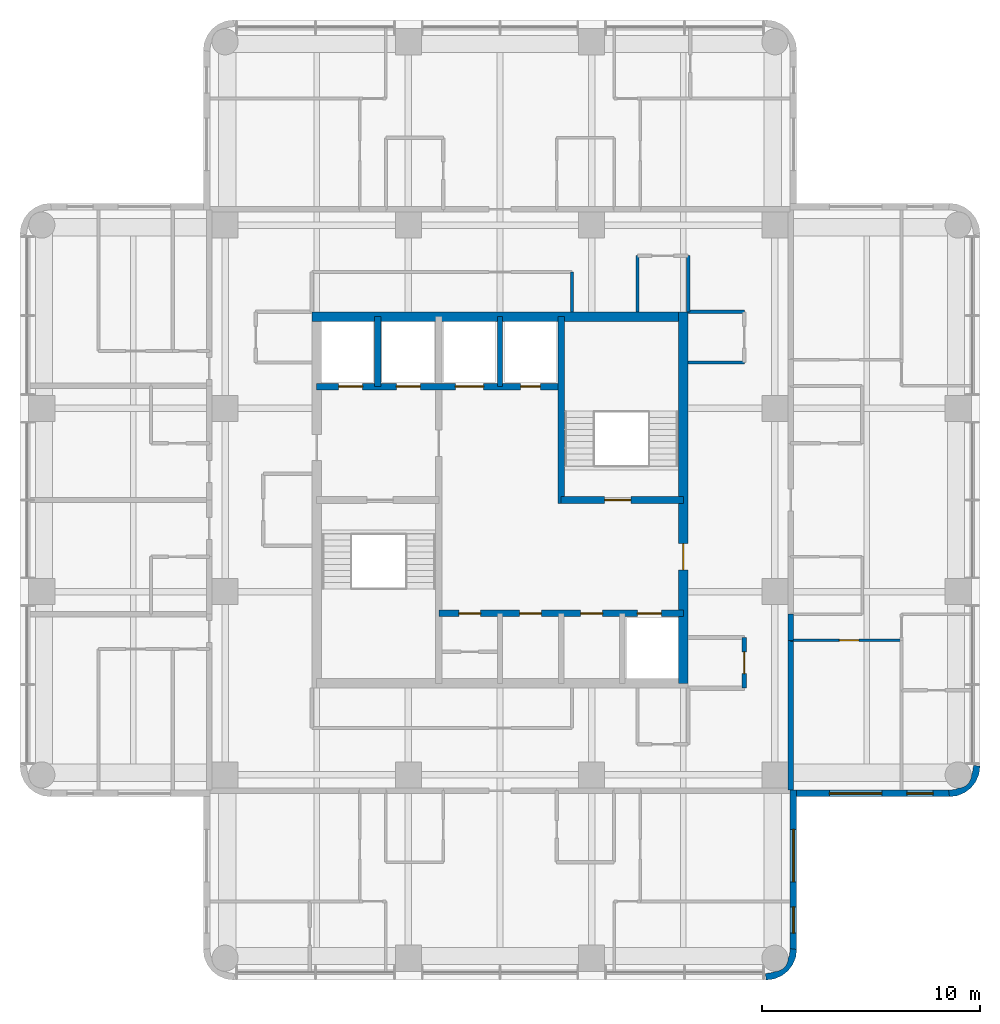
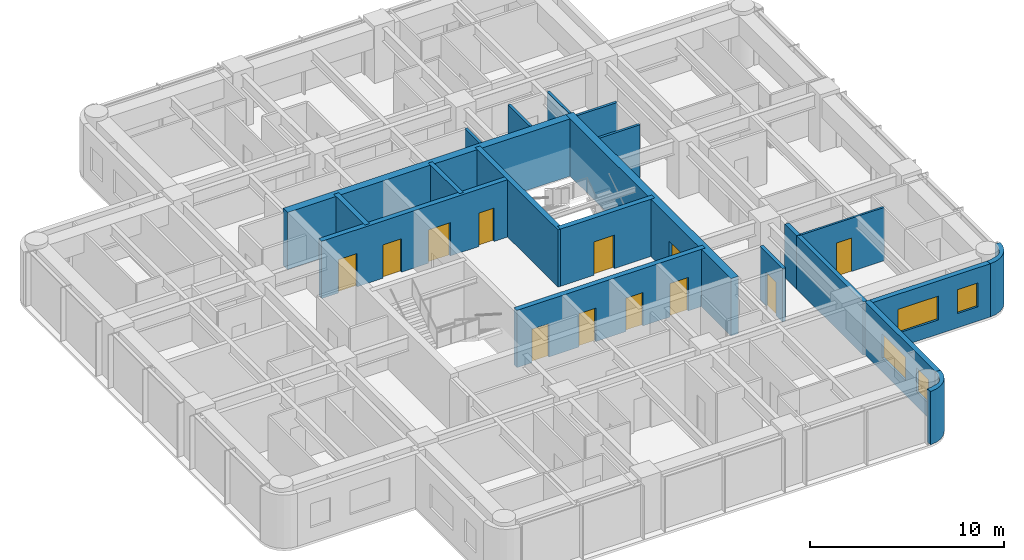
# One storey, part 6 of 10: 21 walls, 12 doors, 4 windows, 16 openings.
"""IFC4 building model written with IfcOpenShell, lengths in metres."""

from ifc_helpers import new_model, si_unit, direction, frame, frame_2d, origin, place, context, subcontext, project, spatial, polyline, rectangle, outline, extrude, material, layer, layer_set, type_object, element, fill, save


model = new_model("IFC4")

# Units and contexts
model_context = context("Model", 3, precision=1e-05, world=origin(), true_north=direction((0.0, 1.0)))
body_context = subcontext(model_context, "Body", "Model", "MODEL_VIEW")
ifc_project = project(units=[si_unit("LENGTHUNIT", "METRE"), si_unit("AREAUNIT", "SQUARE_METRE"), si_unit("VOLUMEUNIT", "CUBIC_METRE"), si_unit("PLANEANGLEUNIT", "RADIAN"), si_unit("MASSUNIT", "GRAM", prefix="KILO")], contexts=[model_context])

# Site, building, storey
site_placement = place(None, origin())
site = spatial("IfcSite", under=ifc_project, at=site_placement, CompositionType="ELEMENT")
building_placement = place(site_placement, origin())
building = spatial("IfcBuilding", under=site, at=building_placement, Name="Torre Alcanfor", CompositionType="ELEMENT")
storey_placement = place(building_placement, frame((0.0, 0.0, 297.300048828125)))
storey = spatial("IfcBuildingStorey", under=building, at=storey_placement, Name="L78", CompositionType="ELEMENT", Elevation=297.300048828125)

# Walls
ifc_material_1 = material(Name="Concrete block masonry, hollow blocks NMX-C-404 9 MPa", Category="masonry")
ifc_layer_1 = layer(ifc_material_1, 0.25)
ifc_layer_set_1 = layer_set([ifc_layer_1], Name="Apartment entrance wall 250 EI 60")
wall_type_1 = type_object("IfcWallType", Name="Apartment entrance wall 250 EI 60", PredefinedType="PARTITIONING", material=ifc_layer_set_1)
wall_1_placement = place(storey_placement, frame((42.72509765625, 24.1708984375, 0.0), z_axis=(0.0, 0.0, 1.0), x_axis=(0.0, -1.0, 0.0)))
element("IfcWall", 1, at=wall_1_placement, inside=storey, type_object=wall_type_1, Name="Partition L78-CORR / L78-EX-LIVING", PredefinedType="PARTITIONING", context=body_context, shape_type="SweptSolid", body=[
    extrude(rectangle(XDim=1.199951171875, YDim=0.25, at=frame_2d((0.60009765625, 0.0))), origin(), (0.0, 0.0, 1.0), 3.349853515625),
])
wall_2_placement = place(storey_placement, frame((42.72509765625, 22.970947265625, 0.0), z_axis=(0.0, 0.0, 1.0), x_axis=(0.0, -1.0, 0.0)))
element("IfcWall", 2, at=wall_2_placement, inside=storey, type_object=wall_type_1, Name="Partition L78-CORR / L78-EX-BED3", PredefinedType="PARTITIONING", context=body_context, shape_type="SweptSolid", body=[
    extrude(rectangle(XDim=6.870849609375, YDim=0.25, at=frame_2d((3.435546875, 0.0))), origin(), (0.0, 0.0, 1.0), 3.349853515625),
])

# Wall, opening, door
ifc_material_2 = material(Name="Gypsum board on steel studs", Category="steel")
ifc_layer_2 = layer(ifc_material_2, 0.1201171875)
ifc_layer_set_2 = layer_set([ifc_layer_2], Name="Apartment partition 120")
wall_type_2 = type_object("IfcWallType", Name="Apartment partition 120", PredefinedType="PARTITIONING", material=ifc_layer_set_2)
wall_3_placement = place(storey_placement, frame((47.800048828125, 22.970947265625, 0.0), z_axis=(0.0, 0.0, 1.0), x_axis=(-1.0, 0.0, 0.0)))
wall_3 = element("IfcWall", 3, at=wall_3_placement, inside=storey, type_object=wall_type_2, Name="Partition L78-EX-LIVING / L78-EX-BED3", PredefinedType="PARTITIONING", context=body_context, shape_type="SweptSolid", body=[
    extrude(rectangle(XDim=5.074951171875, YDim=0.1201171875, at=frame_2d((2.53759765625, 0.0))), origin(), (0.0, 0.0, 1.0), 3.349853515625),
])
opening_1_placement = place(wall_3_placement, frame((1.949951171875, 0.0, 0.0)))
opening_1 = element("IfcOpeningElement", 4, at=opening_1_placement, cuts=wall_3, Name="Opening D-R1", PredefinedType="OPENING", context=body_context, shape_type="SweptSolid", body=[
    extrude(rectangle(XDim=0.89990234375, YDim=2.10009765625, at=frame_2d((0.449951171875, 1.050048828125))), frame((0.0, 0.070068359375, 0.0), z_axis=(0.0, -1.0, 0.0), x_axis=(1.0, 0.0, 0.0)), (0.0, 0.0, 1.0), 0.14013671875),
])
ifc_material_3 = material(Name="Timber", Category="wood")
door_type_1 = type_object("IfcDoorType", Name="Internal door 900x2100", OperationType="SINGLE_SWING_LEFT", PredefinedType="DOOR", material=ifc_material_3)
door_1_placement = place(opening_1_placement, origin())
door_1 = element("IfcDoor", 5, at=door_1_placement, inside=storey, type_object=door_type_1, Name="Door L78-EX bed3", OperationType="SINGLE_SWING_LEFT", OverallHeight=2.10009765625, OverallWidth=0.89990234375, PredefinedType="DOOR", context=body_context, shape_type="SweptSolid", body=[
    extrude(rectangle(XDim=0.89990234375, YDim=2.10009765625, at=frame_2d((0.449951171875, 1.050048828125))), frame((0.0, 0.02490234375, 0.0), z_axis=(0.0, -1.0, 0.0), x_axis=(1.0, 0.0, 0.0)), (0.0, 0.0, 1.0), 0.050048828125),
])
fill(opening_1, door_1)

# Wall, openings, doors
ifc_material_4 = material(Name="Concrete f'c 70 MPa", Category="concrete")
ifc_layer_3 = layer(ifc_material_4, 0.300048828125)
ifc_layer_set_3 = layer_set([ifc_layer_3], Name="Core inner wall 300 f'c70")
wall_type_3 = type_object("IfcWallType", Name="Core inner wall 300 f'c70", PredefinedType="SHEAR", material=ifc_layer_set_3)
wall_4_placement = place(storey_placement, frame((21.0, 34.60009765625, 0.0), z_axis=(0.0, 0.0, 1.0), x_axis=(1.0, 0.0, 0.0)))
wall_4 = element("IfcWall", 6, at=wall_4_placement, inside=storey, type_object=wall_type_3, Name="Core wall Y346 L78", PredefinedType="SHEAR", context=body_context, shape_type="SweptSolid", body=[
    extrude(rectangle(XDim=11.199951171875, YDim=0.300048828125, at=frame_2d((5.60009765625, 0.0))), origin(), (0.0, 0.0, 1.0), 3.599853515625),
])
opening_2_placement = place(wall_4_placement, frame((9.35009765625, 0.0, 0.0)))
opening_2 = element("IfcOpeningElement", 7, at=opening_2_placement, cuts=wall_4, Name="Opening D-Q1", PredefinedType="OPENING", context=body_context, shape_type="SweptSolid", body=[
    extrude(rectangle(XDim=0.89990234375, YDim=2.10009765625, at=frame_2d((0.449951171875, 1.050048828125))), frame((0.0, 0.159912109375, 0.0), z_axis=(0.0, -1.0, 0.0), x_axis=(1.0, 0.0, 0.0)), (0.0, 0.0, 1.0), 0.320068359375),
])
opening_3_placement = place(wall_4_placement, frame((1.0, 0.0, 0.0)))
opening_3 = element("IfcOpeningElement", 8, at=opening_3_placement, cuts=wall_4, Name="Opening LD2", PredefinedType="OPENING", context=body_context, shape_type="SweptSolid", body=[
    extrude(rectangle(XDim=1.10009765625, YDim=2.10009765625, at=frame_2d((0.550048828125, 1.050048828125))), frame((0.0, 0.159912109375, 0.0), z_axis=(0.0, -1.0, 0.0), x_axis=(1.0, 0.0, 0.0)), (0.0, 0.0, 1.0), 0.320068359375),
])
opening_4_placement = place(wall_4_placement, frame((3.64990234375, 0.0, 0.0)))
opening_4 = element("IfcOpeningElement", 9, at=opening_4_placement, cuts=wall_4, Name="Opening LD2", PredefinedType="OPENING", context=body_context, shape_type="SweptSolid", body=[
    extrude(rectangle(XDim=1.10009765625, YDim=2.10009765625, at=frame_2d((0.550048828125, 1.050048828125))), frame((0.0, 0.159912109375, 0.0), z_axis=(0.0, -1.0, 0.0), x_axis=(1.0, 0.0, 0.0)), (0.0, 0.0, 1.0), 0.320068359375),
])
opening_5_placement = place(wall_4_placement, frame((6.35009765625, 0.0, 0.0)))
opening_5 = element("IfcOpeningElement", 10, at=opening_5_placement, cuts=wall_4, Name="Opening LD3", PredefinedType="OPENING", context=body_context, shape_type="SweptSolid", body=[
    extrude(rectangle(XDim=1.300048828125, YDim=2.10009765625, at=frame_2d((0.64990234375, 1.050048828125))), frame((0.0, 0.159912109375, 0.0), z_axis=(0.0, -1.0, 0.0), x_axis=(1.0, 0.0, 0.0)), (0.0, 0.0, 1.0), 0.320068359375),
])
ifc_material_5 = material(Name="Galvanised steel sheet ASTM A653", Category="steel")
door_type_2 = type_object("IfcDoorType", Name="Firefighting lift landing door 1100x2100", OperationType="DOUBLE_DOOR_SLIDING", PredefinedType="DOOR", material=ifc_material_5)
door_2_placement = place(opening_3_placement, origin())
door_2 = element("IfcDoor", 11, at=door_2_placement, inside=storey, type_object=door_type_2, Name="Lift landing door FL1 L78", OperationType="DOUBLE_DOOR_SLIDING", OverallHeight=2.10009765625, OverallWidth=1.10009765625, PredefinedType="DOOR", context=body_context, shape_type="SweptSolid", body=[
    extrude(rectangle(XDim=1.10009765625, YDim=2.10009765625, at=frame_2d((0.550048828125, 1.050048828125))), frame((0.0, 0.02490234375, 0.0), z_axis=(0.0, -1.0, 0.0), x_axis=(1.0, 0.0, 0.0)), (0.0, 0.0, 1.0), 0.050048828125),
])
fill(opening_3, door_2)
door_3_placement = place(opening_4_placement, origin())
door_3 = element("IfcDoor", 12, at=door_3_placement, inside=storey, type_object=door_type_2, Name="Lift landing door FL2 L78", OperationType="DOUBLE_DOOR_SLIDING", OverallHeight=2.10009765625, OverallWidth=1.10009765625, PredefinedType="DOOR", context=body_context, shape_type="SweptSolid", body=[
    extrude(rectangle(XDim=1.10009765625, YDim=2.10009765625, at=frame_2d((0.550048828125, 1.050048828125))), frame((0.0, 0.02490234375, 0.0), z_axis=(0.0, -1.0, 0.0), x_axis=(1.0, 0.0, 0.0)), (0.0, 0.0, 1.0), 0.050048828125),
])
fill(opening_4, door_3)
ifc_material_6 = material(Name="Galvanised steel sheet ASTM A653", Category="steel")
door_type_3 = type_object("IfcDoorType", Name="Riser access door FD120 900x2100", OperationType="SINGLE_SWING_LEFT", PredefinedType="DOOR", material=ifc_material_6)
door_4_placement = place(opening_2_placement, origin())
door_4 = element("IfcDoor", 13, at=door_4_placement, inside=storey, type_object=door_type_3, Name="Riser door L78", OperationType="SINGLE_SWING_LEFT", OverallHeight=2.10009765625, OverallWidth=0.89990234375, PredefinedType="DOOR", context=body_context, shape_type="SweptSolid", body=[
    extrude(rectangle(XDim=0.89990234375, YDim=2.10009765625, at=frame_2d((0.449951171875, 1.050048828125))), frame((0.0, 0.02490234375, 0.0), z_axis=(0.0, -1.0, 0.0), x_axis=(1.0, 0.0, 0.0)), (0.0, 0.0, 1.0), 0.050048828125),
])
fill(opening_2, door_4)
ifc_material_7 = material(Name="Galvanised steel sheet ASTM A653", Category="steel")
door_type_4 = type_object("IfcDoorType", Name="Service lift landing door 1300x2100", OperationType="DOUBLE_DOOR_SLIDING", PredefinedType="DOOR", material=ifc_material_7)
door_5_placement = place(opening_5_placement, origin())
door_5 = element("IfcDoor", 14, at=door_5_placement, inside=storey, type_object=door_type_4, Name="Lift landing door SL1 L78", OperationType="DOUBLE_DOOR_SLIDING", OverallHeight=2.10009765625, OverallWidth=1.300048828125, PredefinedType="DOOR", context=body_context, shape_type="SweptSolid", body=[
    extrude(rectangle(XDim=1.300048828125, YDim=2.10009765625, at=frame_2d((0.64990234375, 1.050048828125))), frame((0.0, 0.02490234375, 0.0), z_axis=(0.0, -1.0, 0.0), x_axis=(1.0, 0.0, 0.0)), (0.0, 0.0, 1.0), 0.050048828125),
])
fill(opening_5, door_5)

# Wall
wall_5_placement = place(storey_placement, frame((23.800048828125, 34.60009765625, 0.0), z_axis=(0.0, 0.0, 1.0), x_axis=(0.0, 1.0, 0.0)))
element("IfcWall", 15, at=wall_5_placement, inside=storey, type_object=wall_type_3, Name="Core wall X238 L78", PredefinedType="SHEAR", context=body_context, shape_type="SweptSolid", body=[
    extrude(rectangle(XDim=3.199951171875, YDim=0.300048828125, at=frame_2d((1.60009765625, 0.0))), origin(), (0.0, 0.0, 1.0), 3.599853515625),
])

# Wall, openings, doors
wall_6_placement = place(storey_placement, frame((26.60009765625, 24.199951171875, 0.0), z_axis=(0.0, 0.0, 1.0), x_axis=(1.0, 0.0, 0.0)))
wall_6 = element("IfcWall", 16, at=wall_6_placement, inside=storey, type_object=wall_type_3, Name="Core wall Y242 L78", PredefinedType="SHEAR", context=body_context, shape_type="SweptSolid", body=[
    extrude(rectangle(XDim=11.199951171875, YDim=0.300048828125, at=frame_2d((5.60009765625, 0.0))), origin(), (0.0, 0.0, 1.0), 3.599853515625),
])
opening_6_placement = place(wall_6_placement, frame((0.91259765625, 0.0, 0.0)))
opening_6 = element("IfcOpeningElement", 17, at=opening_6_placement, cuts=wall_6, Name="Opening D-K1", PredefinedType="OPENING", context=body_context, shape_type="SweptSolid", body=[
    extrude(rectangle(XDim=1.0, YDim=2.10009765625, at=frame_2d((0.5, 1.050048828125))), frame((0.0, 0.159912109375, 0.0), z_axis=(0.0, -1.0, 0.0), x_axis=(1.0, 0.0, 0.0)), (0.0, 0.0, 1.0), 0.320068359375),
])
opening_7_placement = place(wall_6_placement, frame((3.699951171875, 0.0, 0.0)))
opening_7 = element("IfcOpeningElement", 18, at=opening_7_placement, cuts=wall_6, Name="Opening D-K1", PredefinedType="OPENING", context=body_context, shape_type="SweptSolid", body=[
    extrude(rectangle(XDim=1.0, YDim=2.10009765625, at=frame_2d((0.5, 1.050048828125))), frame((0.0, 0.159912109375, 0.0), z_axis=(0.0, -1.0, 0.0), x_axis=(1.0, 0.0, 0.0)), (0.0, 0.0, 1.0), 0.320068359375),
])
opening_8_placement = place(wall_6_placement, frame((6.5, 0.0, 0.0)))
opening_8 = element("IfcOpeningElement", 19, at=opening_8_placement, cuts=wall_6, Name="Opening D-K1", PredefinedType="OPENING", context=body_context, shape_type="SweptSolid", body=[
    extrude(rectangle(XDim=1.0, YDim=2.10009765625, at=frame_2d((0.5, 1.050048828125))), frame((0.0, 0.159912109375, 0.0), z_axis=(0.0, -1.0, 0.0), x_axis=(1.0, 0.0, 0.0)), (0.0, 0.0, 1.0), 0.320068359375),
])
opening_9_placement = place(wall_6_placement, frame((9.10009765625, 0.0, 0.0)))
opening_9 = element("IfcOpeningElement", 20, at=opening_9_placement, cuts=wall_6, Name="Opening LD1", PredefinedType="OPENING", context=body_context, shape_type="SweptSolid", body=[
    extrude(rectangle(XDim=1.10009765625, YDim=2.10009765625, at=frame_2d((0.550048828125, 1.050048828125))), frame((0.0, 0.159912109375, 0.0), z_axis=(0.0, -1.0, 0.0), x_axis=(1.0, 0.0, 0.0)), (0.0, 0.0, 1.0), 0.320068359375),
])
ifc_material_8 = material(Name="Galvanised steel sheet ASTM A653", Category="steel")
door_type_5 = type_object("IfcDoorType", Name="Core room door FD60 1000x2100", OperationType="SINGLE_SWING_LEFT", PredefinedType="DOOR", material=ifc_material_8)
door_6_placement = place(opening_6_placement, frame((1.0, 0.0, 0.0), z_axis=(0.0, 0.0, 1.0), x_axis=(-1.0, 0.0, 0.0)))
door_6 = element("IfcDoor", 21, at=door_6_placement, inside=storey, type_object=door_type_5, Name="IT and comms room door L78", OperationType="SINGLE_SWING_RIGHT", OverallHeight=2.10009765625, OverallWidth=1.0, PredefinedType="DOOR", context=body_context, shape_type="SweptSolid", body=[
    extrude(rectangle(XDim=1.0, YDim=2.10009765625, at=frame_2d((0.5, 1.050048828125))), frame((0.0, 0.025146484375, 0.0), z_axis=(0.0, -1.0, 0.0), x_axis=(1.0, 0.0, 0.0)), (0.0, 0.0, 1.0), 0.050048828125),
])
fill(opening_6, door_6)
door_7_placement = place(opening_7_placement, frame((1.0, 0.0, 0.0), z_axis=(0.0, 0.0, 1.0), x_axis=(-1.0, 0.0, 0.0)))
door_7 = element("IfcDoor", 22, at=door_7_placement, inside=storey, type_object=door_type_5, Name="Cleaners' store door L78", OperationType="SINGLE_SWING_RIGHT", OverallHeight=2.10009765625, OverallWidth=1.0, PredefinedType="DOOR", context=body_context, shape_type="SweptSolid", body=[
    extrude(rectangle(XDim=1.0, YDim=2.10009765625, at=frame_2d((0.5, 1.050048828125))), frame((0.0, 0.025146484375, 0.0), z_axis=(0.0, -1.0, 0.0), x_axis=(1.0, 0.0, 0.0)), (0.0, 0.0, 1.0), 0.050048828125),
])
fill(opening_7, door_7)
door_8_placement = place(opening_8_placement, frame((1.0, 0.0, 0.0), z_axis=(0.0, 0.0, 1.0), x_axis=(-1.0, 0.0, 0.0)))
door_8 = element("IfcDoor", 23, at=door_8_placement, inside=storey, type_object=door_type_5, Name="Pantry door L78", OperationType="SINGLE_SWING_RIGHT", OverallHeight=2.10009765625, OverallWidth=1.0, PredefinedType="DOOR", context=body_context, shape_type="SweptSolid", body=[
    extrude(rectangle(XDim=1.0, YDim=2.10009765625, at=frame_2d((0.5, 1.050048828125))), frame((0.0, 0.025146484375, 0.0), z_axis=(0.0, -1.0, 0.0), x_axis=(1.0, 0.0, 0.0)), (0.0, 0.0, 1.0), 0.050048828125),
])
fill(opening_8, door_8)
ifc_material_9 = material(Name="Galvanised steel sheet ASTM A653", Category="steel")
door_type_6 = type_object("IfcDoorType", Name="Lift landing door 1100x2100", OperationType="DOUBLE_DOOR_SLIDING", PredefinedType="DOOR", material=ifc_material_9)
door_9_placement = place(opening_9_placement, origin())
door_9 = element("IfcDoor", 24, at=door_9_placement, inside=storey, type_object=door_type_6, Name="Lift landing door PA4 L78", OperationType="DOUBLE_DOOR_SLIDING", OverallHeight=2.10009765625, OverallWidth=1.10009765625, PredefinedType="DOOR", context=body_context, shape_type="SweptSolid", body=[
    extrude(rectangle(XDim=1.10009765625, YDim=2.10009765625, at=frame_2d((0.550048828125, 1.050048828125))), frame((0.0, 0.02490234375, 0.0), z_axis=(0.0, -1.0, 0.0), x_axis=(1.0, 0.0, 0.0)), (0.0, 0.0, 1.0), 0.050048828125),
])
fill(opening_9, door_9)

# Wall
wall_7_placement = place(storey_placement, frame((32.199951171875, 29.25, 0.0), z_axis=(0.0, 0.0, 1.0), x_axis=(0.0, 1.0, 0.0)))
element("IfcWall", 25, at=wall_7_placement, inside=storey, type_object=wall_type_3, Name="Core wall X322N L78", PredefinedType="SHEAR", context=body_context, shape_type="SweptSolid", body=[
    extrude(rectangle(XDim=8.550048828125, YDim=0.300048828125, at=frame_2d((4.27490234375, 0.0))), origin(), (0.0, 0.0, 1.0), 3.599853515625),
])

# Wall, opening, door
wall_8_placement = place(storey_placement, frame((32.199951171875, 29.39990234375, 0.0), z_axis=(0.0, 0.0, 1.0), x_axis=(1.0, 0.0, 0.0)))
wall_8 = element("IfcWall", 26, at=wall_8_placement, inside=storey, type_object=wall_type_3, Name="Core wall Y294E L78", PredefinedType="SHEAR", context=body_context, shape_type="SweptSolid", body=[
    extrude(rectangle(XDim=5.60009765625, YDim=0.300048828125, at=frame_2d((2.800048828125, 0.0))), origin(), (0.0, 0.0, 1.0), 3.599853515625),
])
opening_10_placement = place(wall_8_placement, frame((2.0, 0.0, 0.0)))
opening_10 = element("IfcOpeningElement", 27, at=opening_10_placement, cuts=wall_8, Name="Opening D-S2", PredefinedType="OPENING", context=body_context, shape_type="SweptSolid", body=[
    extrude(rectangle(XDim=1.199951171875, YDim=2.10009765625, at=frame_2d((0.60009765625, 1.050048828125))), frame((0.0, 0.159912109375, 0.0), z_axis=(0.0, -1.0, 0.0), x_axis=(1.0, 0.0, 0.0)), (0.0, 0.0, 1.0), 0.320068359375),
])
ifc_material_10 = material(Name="Galvanised steel sheet ASTM A653", Category="steel")
door_type_7 = type_object("IfcDoorType", Name="Stair enclosure door FD120 1200x2100", OperationType="SINGLE_SWING_LEFT", PredefinedType="DOOR", material=ifc_material_10)
door_10_placement = place(opening_10_placement, origin())
door_10 = element("IfcDoor", 28, at=door_10_placement, inside=storey, type_object=door_type_7, Name="Stair S2 door L78", OperationType="SINGLE_SWING_LEFT", OverallHeight=2.10009765625, OverallWidth=1.199951171875, PredefinedType="DOOR", context=body_context, shape_type="SweptSolid", body=[
    extrude(rectangle(XDim=1.199951171875, YDim=2.10009765625, at=frame_2d((0.60009765625, 1.050048828125))), frame((0.0, 0.02490234375, 0.0), z_axis=(0.0, -1.0, 0.0), x_axis=(1.0, 0.0, 0.0)), (0.0, 0.0, 1.0), 0.050048828125),
])
fill(opening_10, door_10)

# Wall
ifc_material_11 = material(Name="Concrete f'c 70 MPa", Category="concrete")
ifc_layer_4 = layer(ifc_material_11, 0.25)
ifc_layer_set_4 = layer_set([ifc_layer_4], Name="Core shaft wall 250 f'c70")
wall_type_4 = type_object("IfcWallType", Name="Core shaft wall 250 f'c70", PredefinedType="SHEAR", material=ifc_layer_set_4)
wall_9_placement = place(storey_placement, frame((29.39990234375, 34.60009765625, 0.0), z_axis=(0.0, 0.0, 1.0), x_axis=(0.0, 1.0, 0.0)))
element("IfcWall", 29, at=wall_9_placement, inside=storey, type_object=wall_type_4, Name="Core wall X294N L78", PredefinedType="SHEAR", context=body_context, shape_type="SweptSolid", body=[
    extrude(rectangle(XDim=3.199951171875, YDim=0.25, at=frame_2d((1.60009765625, 0.0))), origin(), (0.0, 0.0, 1.0), 3.599853515625),
])

# Wall, opening, door
ifc_material_12 = material(Name="Concrete f'c 70 MPa", Category="concrete")
ifc_layer_5 = layer(ifc_material_12, 0.449951171875)
ifc_layer_set_5 = layer_set([ifc_layer_5], Name="Core wall 450 f'c70")
wall_type_5 = type_object("IfcWallType", Name="Core wall 450 f'c70", PredefinedType="SHEAR", material=ifc_layer_set_5)
wall_10_placement = place(storey_placement, frame((37.800048828125, 21.0, 0.0), z_axis=(0.0, 0.0, 1.0), x_axis=(0.0, 1.0, 0.0)))
wall_10 = element("IfcWall", 30, at=wall_10_placement, inside=storey, type_object=wall_type_5, Name="Core wall OUT-E L78", PredefinedType="SHEAR", context=body_context, shape_type="SweptSolid", body=[
    extrude(rectangle(XDim=17.02490234375, YDim=0.449951171875, at=frame_2d((8.512451171875, 0.0))), origin(), (0.0, 0.0, 1.0), 3.599853515625),
])
opening_11_placement = place(wall_10_placement, frame((5.199951171875, 0.0, 0.0)))
opening_11 = element("IfcOpeningElement", 31, at=opening_11_placement, cuts=wall_10, Name="Opening D-L1", PredefinedType="OPENING", context=body_context, shape_type="SweptSolid", body=[
    extrude(rectangle(XDim=1.199951171875, YDim=2.10009765625, at=frame_2d((0.60009765625, 1.050048828125))), frame((0.0, 0.23486328125, 0.0), z_axis=(0.0, -1.0, 0.0), x_axis=(1.0, 0.0, 0.0)), (0.0, 0.0, 1.0), 0.469970703125),
])
ifc_material_13 = material(Name="Galvanised steel sheet ASTM A653", Category="steel")
door_type_8 = type_object("IfcDoorType", Name="Lobby door FD120 1200x2100", OperationType="SINGLE_SWING_LEFT", PredefinedType="DOOR", material=ifc_material_13)
door_11_placement = place(opening_11_placement, origin())
door_11 = element("IfcDoor", 32, at=door_11_placement, inside=storey, type_object=door_type_8, Name="Lift lobby entrance door L78", OperationType="SINGLE_SWING_LEFT", OverallHeight=2.10009765625, OverallWidth=1.199951171875, PredefinedType="DOOR", context=body_context, shape_type="SweptSolid", body=[
    extrude(rectangle(XDim=1.199951171875, YDim=2.10009765625, at=frame_2d((0.60009765625, 1.050048828125))), frame((0.0, 0.02490234375, 0.0), z_axis=(0.0, -1.0, 0.0), x_axis=(1.0, 0.0, 0.0)), (0.0, 0.0, 1.0), 0.050048828125),
])
fill(opening_11, door_11)

# Wall
wall_11_placement = place(storey_placement, frame((37.800048828125, 37.800048828125, 0.0), z_axis=(0.0, 0.0, 1.0), x_axis=(-1.0, 0.0, 0.0)))
element("IfcWall", 33, at=wall_11_placement, inside=storey, type_object=wall_type_5, Name="Core wall OUT-N L78", PredefinedType="SHEAR", context=body_context, shape_type="SweptSolid", body=[
    extrude(rectangle(XDim=17.025146484375, YDim=0.449951171875, at=frame_2d((8.5126953125, 0.0))), origin(), (0.0, 0.0, 1.0), 3.599853515625),
])

# Wall, openings, windows
ifc_material_14 = material(Name="Limestone cladding", Category="masonry")
ifc_layer_6 = layer(ifc_material_14, 0.0400390625, Name="Facing")
ifc_material_15 = material(Name="Ventilated air cavity")
ifc_layer_7 = layer(ifc_material_15, 0.02001953125, ventilated=True, Name="Ventilated joint")
ifc_material_16 = material(Name="Mineral wool insulation", Category="insulation")
ifc_layer_8 = layer(ifc_material_16, 0.10009765625, Name="Insulation")
ifc_material_17 = material(Name="Concrete f'c 35 MPa", Category="concrete")
ifc_layer_9 = layer(ifc_material_17, 0.139892578125, Name="Backing")
ifc_layer_set_6 = layer_set([ifc_layer_6, ifc_layer_7, ifc_layer_8, ifc_layer_9], Name="External wall stone-clad 300")
wall_type_6 = type_object("IfcWallType", Name="External wall stone-clad 300", PredefinedType="SOLIDWALL", material=ifc_layer_set_6)
wall_12_placement = place(storey_placement, frame((42.85009765625, 8.800048828125, 0.0), z_axis=(0.0, 0.0, 1.0), x_axis=(0.0, 1.0, 0.0)))
wall_12 = element("IfcWall", 34, at=wall_12_placement, inside=storey, type_object=wall_type_6, Name="External wall L78 6", PredefinedType="SOLIDWALL", context=body_context, shape_type="SweptSolid", body=[
    extrude(rectangle(XDim=7.300048828125, YDim=0.300048828125, at=frame_2d((3.64990234375, 0.0))), origin(), (0.0, 0.0, 1.0), 3.349853515625),
])
opening_12_placement = place(wall_12_placement, frame((3.10009765625, 0.0, 0.89990234375)))
opening_12 = element("IfcOpeningElement", 35, at=opening_12_placement, cuts=wall_12, Name="Opening W1", PredefinedType="OPENING", context=body_context, shape_type="SweptSolid", body=[
    extrude(rectangle(XDim=2.39990234375, YDim=1.5, at=frame_2d((1.199951171875, 0.75))), frame((0.0, 0.159912109375, 0.0), z_axis=(0.0, -1.0, 0.0), x_axis=(1.0, 0.0, 0.0)), (0.0, 0.0, 1.0), 0.320068359375),
])
opening_13_placement = place(wall_12_placement, frame((0.75, 0.0, 0.89990234375)))
opening_13 = element("IfcOpeningElement", 36, at=opening_13_placement, cuts=wall_12, Name="Opening W4", PredefinedType="OPENING", context=body_context, shape_type="SweptSolid", body=[
    extrude(rectangle(XDim=1.199951171875, YDim=1.5, at=frame_2d((0.60009765625, 0.75))), frame((0.0, 0.159912109375, 0.0), z_axis=(0.0, -1.0, 0.0), x_axis=(1.0, 0.0, 0.0)), (0.0, 0.0, 1.0), 0.320068359375),
])
ifc_material_18 = material(Name="Aluminium frame with clear double glazing", Category="aluminium")
window_type_1 = type_object("IfcWindowType", Name="Window bedroom 1200x1500", PartitioningType="SINGLE_PANEL", PredefinedType="WINDOW", material=ifc_material_18)
window_1_placement = place(opening_13_placement, origin())
window_1 = element("IfcWindow", 37, at=window_1_placement, inside=storey, type_object=window_type_1, Name="Window W4 L78-S1", OverallHeight=1.5, OverallWidth=1.199951171875, PartitioningType="SINGLE_PANEL", PredefinedType="WINDOW", context=body_context, shape_type="SweptSolid", body=[
    extrude(rectangle(XDim=1.199951171875, YDim=1.5, at=frame_2d((0.60009765625, 0.75))), frame((0.0, 0.030029296875, 0.0), z_axis=(0.0, -1.0, 0.0), x_axis=(1.0, 0.0, 0.0)), (0.0, 0.0, 1.0), 0.06005859375),
])
fill(opening_13, window_1)
ifc_material_19 = material(Name="Aluminium frame with clear double glazing", Category="aluminium")
window_type_2 = type_object("IfcWindowType", Name="Window bedroom 2400x1500", PartitioningType="SINGLE_PANEL", PredefinedType="WINDOW", material=ifc_material_19)
window_2_placement = place(opening_12_placement, origin())
window_2 = element("IfcWindow", 38, at=window_2_placement, inside=storey, type_object=window_type_2, Name="Window W1 L78-S1", OverallHeight=1.5, OverallWidth=2.39990234375, PartitioningType="SINGLE_PANEL", PredefinedType="WINDOW", context=body_context, shape_type="SweptSolid", body=[
    extrude(rectangle(XDim=2.39990234375, YDim=1.5, at=frame_2d((1.199951171875, 0.75))), frame((0.0, 0.030029296875, 0.0), z_axis=(0.0, -1.0, 0.0), x_axis=(1.0, 0.0, 0.0)), (0.0, 0.0, 1.0), 0.06005859375),
])
fill(opening_12, window_2)

wall_13_placement = place(storey_placement, frame((43.0, 15.949951171875, 0.0), z_axis=(0.0, 0.0, 1.0), x_axis=(1.0, 0.0, 0.0)))
wall_13 = element("IfcWall", 39, at=wall_13_placement, inside=storey, type_object=wall_type_6, Name="External wall L78 7", PredefinedType="SOLIDWALL", context=body_context, shape_type="SweptSolid", body=[
    extrude(rectangle(XDim=7.0, YDim=0.300048828125, at=frame_2d((3.5, 0.0))), origin(), (0.0, 0.0, 1.0), 3.349853515625),
])
opening_14_placement = place(wall_13_placement, frame((1.5, 0.0, 0.89990234375)))
opening_14 = element("IfcOpeningElement", 40, at=opening_14_placement, cuts=wall_13, Name="Opening W1", PredefinedType="OPENING", context=body_context, shape_type="SweptSolid", body=[
    extrude(rectangle(XDim=2.39990234375, YDim=1.5, at=frame_2d((1.199951171875, 0.75))), frame((0.0, 0.159912109375, 0.0), z_axis=(0.0, -1.0, 0.0), x_axis=(1.0, 0.0, 0.0)), (0.0, 0.0, 1.0), 0.320068359375),
])
opening_15_placement = place(wall_13_placement, frame((5.050048828125, 0.0, 0.89990234375)))
opening_15 = element("IfcOpeningElement", 41, at=opening_15_placement, cuts=wall_13, Name="Opening W4", PredefinedType="OPENING", context=body_context, shape_type="SweptSolid", body=[
    extrude(rectangle(XDim=1.199951171875, YDim=1.5, at=frame_2d((0.60009765625, 0.75))), frame((0.0, 0.159912109375, 0.0), z_axis=(0.0, -1.0, 0.0), x_axis=(1.0, 0.0, 0.0)), (0.0, 0.0, 1.0), 0.320068359375),
])
window_3_placement = place(opening_15_placement, origin())
window_3 = element("IfcWindow", 42, at=window_3_placement, inside=storey, type_object=window_type_1, Name="Window W4 L78-E2", OverallHeight=1.5, OverallWidth=1.199951171875, PartitioningType="SINGLE_PANEL", PredefinedType="WINDOW", context=body_context, shape_type="SweptSolid", body=[
    extrude(rectangle(XDim=1.199951171875, YDim=1.5, at=frame_2d((0.60009765625, 0.75))), frame((0.0, 0.030029296875, 0.0), z_axis=(0.0, -1.0, 0.0), x_axis=(1.0, 0.0, 0.0)), (0.0, 0.0, 1.0), 0.06005859375),
])
fill(opening_15, window_3)
window_4_placement = place(opening_14_placement, origin())
window_4 = element("IfcWindow", 43, at=window_4_placement, inside=storey, type_object=window_type_2, Name="Window W1 L78-E2", OverallHeight=1.5, OverallWidth=2.39990234375, PartitioningType="SINGLE_PANEL", PredefinedType="WINDOW", context=body_context, shape_type="SweptSolid", body=[
    extrude(rectangle(XDim=2.39990234375, YDim=1.5, at=frame_2d((1.199951171875, 0.75))), frame((0.0, 0.030029296875, 0.0), z_axis=(0.0, -1.0, 0.0), x_axis=(1.0, 0.0, 0.0)), (0.0, 0.0, 1.0), 0.06005859375),
])
fill(opening_14, window_4)

# Wall, opening, door
ifc_material_20 = material(Name="Concrete block masonry, hollow blocks NMX-C-404 9 MPa", Category="masonry")
ifc_layer_10 = layer(ifc_material_20, 0.199951171875)
ifc_layer_set_7 = layer_set([ifc_layer_10], Name="Plant room wall 200 EI 60")
wall_type_7 = type_object("IfcWallType", Name="Plant room wall 200 EI 60", PredefinedType="PARTITIONING", material=ifc_layer_set_7)
wall_14_placement = place(storey_placement, frame((40.60009765625, 20.77490234375, 0.0), z_axis=(0.0, 0.0, 1.0), x_axis=(0.0, 1.0, 0.0)))
wall_14 = element("IfcWall", 44, at=wall_14_placement, inside=storey, type_object=wall_type_7, Name="Partition L78-CORR / L78-G03", PredefinedType="PARTITIONING", context=body_context, shape_type="SweptSolid", body=[
    extrude(rectangle(XDim=2.3251953125, YDim=0.199951171875, at=frame_2d((1.16259765625, 0.0))), origin(), (0.0, 0.0, 1.0), 3.349853515625),
])
opening_16_placement = place(wall_14_placement, frame((0.66259765625, 0.0, 0.0)))
opening_16 = element("IfcOpeningElement", 45, at=opening_16_placement, cuts=wall_14, Name="Opening D-K1", PredefinedType="OPENING", context=body_context, shape_type="SweptSolid", body=[
    extrude(rectangle(XDim=1.0, YDim=2.10009765625, at=frame_2d((0.5, 1.050048828125))), frame((0.0, 0.10986328125, 0.0), z_axis=(0.0, -1.0, 0.0), x_axis=(1.0, 0.0, 0.0)), (0.0, 0.0, 1.0), 0.219970703125),
])
door_12_placement = place(opening_16_placement, origin())
door_12 = element("IfcDoor", 46, at=door_12_placement, inside=storey, type_object=door_type_5, Name="Door L78-G03 refuse and recycling store", OperationType="SINGLE_SWING_LEFT", OverallHeight=2.10009765625, OverallWidth=1.0, PredefinedType="DOOR", context=body_context, shape_type="SweptSolid", body=[
    extrude(rectangle(XDim=1.0, YDim=2.10009765625, at=frame_2d((0.5, 1.050048828125))), frame((0.0, 0.02490234375, 0.0), z_axis=(0.0, -1.0, 0.0), x_axis=(1.0, 0.0, 0.0)), (0.0, 0.0, 1.0), 0.050048828125),
])
fill(opening_16, door_12)

# Walls
ifc_material_21 = material(Name="Concrete block masonry, hollow blocks NMX-C-404 9 MPa", Category="masonry")
ifc_layer_11 = layer(ifc_material_21, 0.14990234375)
ifc_layer_set_8 = layer_set([ifc_layer_11], Name="Residents' room partition 150")
wall_type_8 = type_object("IfcWallType", Name="Residents' room partition 150", PredefinedType="PARTITIONING", material=ifc_layer_set_8)
wall_15_placement = place(storey_placement, frame((32.699951171875, 38.02490234375, 0.0), z_axis=(0.0, 0.0, 1.0), x_axis=(0.0, 1.0, 0.0)))
element("IfcWall", 47, at=wall_15_placement, inside=storey, type_object=wall_type_8, Name="Partition L78-CORR / L78-G01", PredefinedType="PARTITIONING", context=body_context, shape_type="SweptSolid", body=[
    extrude(rectangle(XDim=1.8251953125, YDim=0.14990234375, at=frame_2d((0.91259765625, 0.0))), origin(), (0.0, 0.0, 1.0), 3.349853515625),
])
for number, where, z_axis, x_axis, name in (
    (48, (38.02490234375, 38.02490234375, 0.0), (0.0, 0.0, 1.0), (0.0, 1.0, 0.0), "Partition L78-CORR / L78-G02"),
    (49, (35.699951171875, 40.60009765625, 0.0), (0.0, 0.0, 1.0), (0.0, -1.0, 0.0), "Partition L78-CORR / L78-G02"),
    (50, (38.02490234375, 35.699951171875, 0.0), (0.0, 0.0, 1.0), (1.0, 0.0, 0.0), "Partition L78-CORR / L78-G04"),
    (51, (40.60009765625, 38.02490234375, 0.0), (0.0, 0.0, 1.0), (-1.0, 0.0, 0.0), "Partition L78-CORR / L78-G04"),
):
    element("IfcWall", number, at=place(storey_placement, frame(where, z_axis=z_axis, x_axis=x_axis)), inside=storey, type_object=wall_type_8, Name=name, PredefinedType="PARTITIONING", context=body_context, shape_type="SweptSolid", body=[
        extrude(rectangle(XDim=2.5751953125, YDim=0.14990234375, at=frame_2d((1.28759765625, 0.0))), origin(), (0.0, 0.0, 1.0), 3.349853515625),
    ])
ifc_layer_12 = layer(ifc_material_14, 0.0400390625, Name="Facing")
ifc_layer_13 = layer(ifc_material_15, 0.02001953125, ventilated=True, Name="Ventilated joint")
ifc_layer_14 = layer(ifc_material_16, 0.10009765625, Name="Insulation")
ifc_layer_15 = layer(ifc_material_17, 0.139892578125, Name="Backing")
ifc_layer_set_9 = layer_set([ifc_layer_12, ifc_layer_13, ifc_layer_14, ifc_layer_15], Name="Rounded corner pier stone-clad 300")
wall_type_9 = type_object("IfcWallType", Name="Rounded corner pier stone-clad 300", PredefinedType="SOLIDWALL", material=ifc_layer_set_9)
wall_16_placement = place(storey_placement, frame((41.638418254, 7.824101883, 0.0), z_axis=(0.0, 0.0, 1.0), x_axis=(0.707106781187, -0.707106781187, 0.0)))
element("IfcWall", 52, at=wall_16_placement, inside=storey, type_object=wall_type_9, Name="Corner pier L78 16", PredefinedType="SOLIDWALL", context=body_context, shape_type="SweptSolid", body=[
    extrude(outline(polyline([(0.0325517960828704, 1.468682453281438), (0.04670774238592146, 1.4545265069783868), (0.23297927971509252, 1.2116311844370118), (0.29219256729980597, 1.0692085539489986), (0.35796592756154294, 1.0034351936872616), (0.44946167805687254, 0.7824643245664655), (0.44946167805687254, 0.5431943053466035), (0.3577932940700423, 0.322396069717308), (0.2921925672998059, 0.2567953429470716), (0.23315191320659318, 0.1142000789675579), (0.046707742385921465, -0.12886787706531783), (0.03272442957437109, -0.14285118987686818), (0.2728576162517362, -0.3270511253080318), (0.4952095533045373, -0.03702685958698693), (0.6350426814200412, 0.3006442497882296), (0.6826895250742129, 0.6628293149565345), (0.635042681420041, 1.0253596471078406), (0.49520955330453736, 1.3630307564830573), (0.2726849827602357, 1.6528823887126016), (0.0325517960828704, 1.468682453281438)])), origin(), (0.0, 0.0, 1.0), 3.349853515625),
])
wall_17_placement = place(storey_placement, frame((50.038418254, 16.224101883, 0.0), z_axis=(0.0, 0.0, 1.0), x_axis=(0.707106781187, -0.707106781187, 0.0)))
element("IfcWall", 53, at=wall_17_placement, inside=storey, type_object=wall_type_9, Name="Corner pier L78 17", PredefinedType="SOLIDWALL", context=body_context, shape_type="SweptSolid", body=[
    extrude(outline(polyline([(0.046707742385922124, 1.454733667168189), (0.23315191320659384, 1.2116657111353133), (0.29219256729980647, 1.0690704471557995), (0.35796592756154344, 1.0032970868940625), (0.44928904456537255, 0.782498851264767), (0.44946167805687315, 0.5434014655364057), (0.3579659275615435, 0.3224305964156095), (0.2921925672998065, 0.25665723615387254), (0.2331519132065938, 0.11406197217435879), (0.046535108894421466, -0.1288333503670163), (0.032551796082871086, -0.14281666317856667), (0.2726849827602362, -0.3270165986097303), (0.495209553304538, -0.03716496638018607), (0.6350426814200417, 0.30050614299503053), (0.6826895250742134, 0.6630364751463366), (0.6350426814200417, 1.0252215403146416), (0.495209553304538, 1.3628926496898581), (0.27268498276023634, 1.6527442819194023), (0.032724429574371716, 1.4687169799797393), (0.046707742385922124, 1.454733667168189)])), origin(), (0.0, 0.0, 1.0), 3.349853515625),
])

save(model, "model.ifc")
